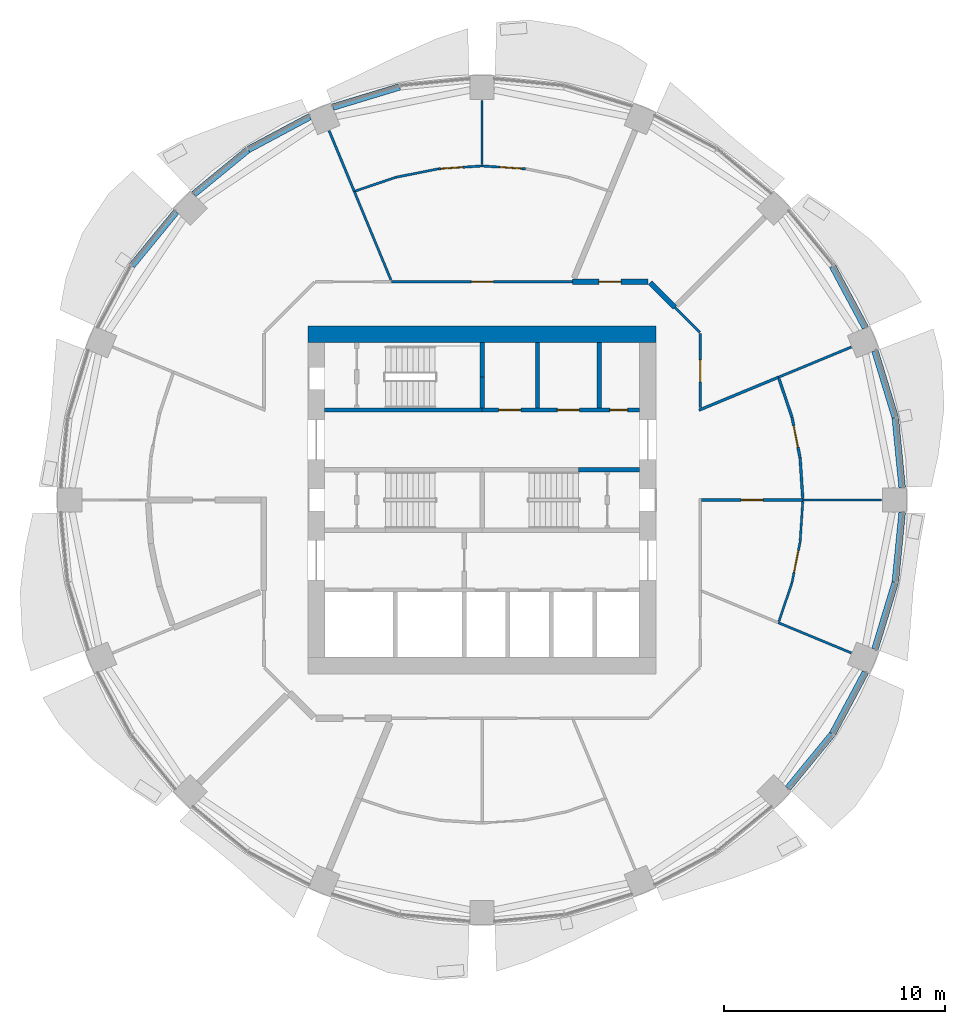
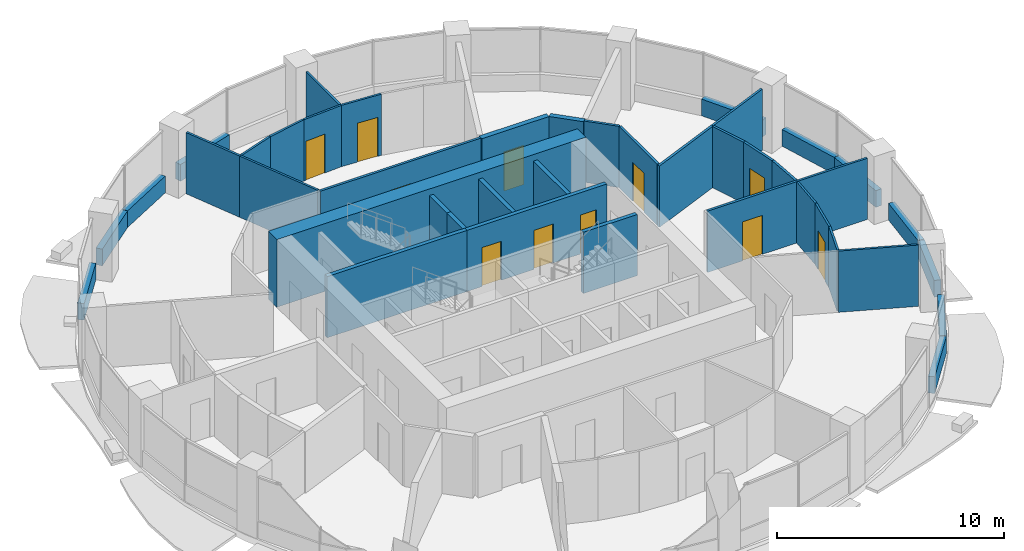
# One storey, part 9 of 14: 42 walls, 11 doors, 11 openings.
"""IFC4 building model written with IfcOpenShell, lengths in metres."""

from ifc_helpers import new_model, si_unit, direction, frame, frame_2d, origin, place, context, subcontext, project, spatial, rectangle, extrude, material, layer, layer_set, type_object, element, fill, save


model = new_model("IFC4")

# Units and contexts
model_context = context("Model", 3, precision=1e-05, world=origin(), true_north=direction((0.0, 1.0)))
body_context = subcontext(model_context, "Body", "Model", "MODEL_VIEW")
ifc_project = project(units=[si_unit("LENGTHUNIT", "METRE"), si_unit("AREAUNIT", "SQUARE_METRE"), si_unit("VOLUMEUNIT", "CUBIC_METRE"), si_unit("PLANEANGLEUNIT", "RADIAN"), si_unit("MASSUNIT", "GRAM", prefix="KILO")], contexts=[model_context])

# Site, building, storey
site_placement = place(None, origin())
site = spatial("IfcSite", under=ifc_project, at=site_placement, CompositionType="ELEMENT")
building_placement = place(site_placement, origin())
building = spatial("IfcBuilding", under=site, at=building_placement, Name="Polderwave Tower", CompositionType="ELEMENT")
storey_placement = place(building_placement, frame((0.0, 0.0, 94.64990234375)))
storey = spatial("IfcBuildingStorey", under=building, at=storey_placement, Name="L24", CompositionType="ELEMENT", Elevation=94.64990234375)

# Walls
ifc_material_1 = material(Name="Concrete C70/85", Category="concrete")
ifc_layer_1 = layer(ifc_material_1, 0.75)
ifc_layer_set_1 = layer_set([ifc_layer_1], Name="CORE WALL 750 C70/85")
wall_type_1 = type_object("IfcWallType", Name="CORE WALL 750 C70/85", PredefinedType="SHEAR", material=ifc_layer_set_1)
wall_1_placement = place(storey_placement, frame((-7.8740234375, 7.4990234375, 0.0), z_axis=(0.0, 0.0, 1.0), x_axis=(1.0, 0.0, 0.0)))
element("IfcWall", 1, at=wall_1_placement, inside=storey, type_object=wall_type_1, Name="ST-CORE-L24-N", PredefinedType="SHEAR", context=body_context, shape_type="SweptSolid", body=[
    extrude(rectangle(XDim=15.748046875, YDim=0.75, at=frame_2d((7.8740234375, 0.0))), origin(), (0.0, 0.0, 1.0), 3.650146484375),
])
ifc_material_2 = material(Name="Concrete C50/60 (board-marked)", Category="concrete")
ifc_layer_2 = layer(ifc_material_2, 0.300048828125)
ifc_layer_set_2 = layer_set([ifc_layer_2], Name="Concrete spandrel upstand C50/60")
wall_type_2 = type_object("IfcWallType", Name="Concrete spandrel upstand C50/60", PredefinedType="SOLIDWALL", material=ifc_layer_set_2)
wall_2_placement = place(storey_placement, frame((19.014404296875, 0.56396484375, 0.0), z_axis=(0.0, 0.0, 1.0), x_axis=(-0.097849336863, 0.995201239587, 0.0)))
element("IfcWall", 2, at=wall_2_placement, inside=storey, type_object=wall_type_2, Name="Spandrel L24 1a", PredefinedType="SOLIDWALL", context=body_context, shape_type="SweptSolid", body=[
    extrude(rectangle(XDim=3.15625, YDim=0.300048828125, at=frame_2d((1.578125, 0.0))), origin(), (0.0, 0.0, 1.0), 0.900146484375),
])
wall_3_placement = place(storey_placement, frame((18.69970703125, 3.734375, 0.0), z_axis=(0.0, 0.0, 1.0), x_axis=(-0.290503096001, 0.956874051907, 0.0)))
element("IfcWall", 3, at=wall_3_placement, inside=storey, type_object=wall_type_2, Name="Spandrel L24 1b", PredefinedType="SOLIDWALL", context=body_context, shape_type="SweptSolid", body=[
    extrude(rectangle(XDim=3.157470703125, YDim=0.300048828125, at=frame_2d((1.57861328125, 0.0))), origin(), (0.0, 0.0, 1.0), 0.900146484375),
])
wall_4_placement = place(storey_placement, frame((17.350830078125, 7.797119140625, 0.0), z_axis=(0.0, 0.0, 1.0), x_axis=(-0.471238306932, 0.882005928597, 0.0)))
element("IfcWall", 4, at=wall_4_placement, inside=storey, type_object=wall_type_2, Name="Spandrel L24 2a", PredefinedType="SOLIDWALL", context=body_context, shape_type="SweptSolid", body=[
    extrude(rectangle(XDim=3.1572265625, YDim=0.300048828125, at=frame_2d((1.57861328125, 0.0))), origin(), (0.0, 0.0, 1.0), 0.900146484375),
])
wall_5_placement = place(storey_placement, frame((-3.734375, 18.69970703125, 0.0), z_axis=(0.0, 0.0, 1.0), x_axis=(-0.956874051907, -0.290503096001, 0.0)))
element("IfcWall", 5, at=wall_5_placement, inside=storey, type_object=wall_type_2, Name="Spandrel L24 5b", PredefinedType="SOLIDWALL", context=body_context, shape_type="SweptSolid", body=[
    extrude(rectangle(XDim=3.157470703125, YDim=0.300048828125, at=frame_2d((1.57861328125, 0.0))), origin(), (0.0, 0.0, 1.0), 0.900146484375),
])
for number, where, z_axis, x_axis, name in (
    (6, (-7.797119140625, 17.350830078125, 0.0), (0.0, 0.0, 1.0), (-0.882005928597, -0.471238306932, 0.0), "Spandrel L24 6a"),
    (7, (-10.606689453125, 15.846435546875, 0.0), (0.0, 0.0, 1.0), (-0.773022810229, -0.63437822698, 0.0), "Spandrel L24 6b"),
    (8, (-13.843505859375, 13.04736328125, 0.0), (0.0, 0.0, 1.0), (-0.63437822698, -0.773022810229, 0.0), "Spandrel L24 7a"),
    (9, (13.843505859375, -13.04736328125, 0.0), (0.0, 0.0, 1.0), (0.63437822698, 0.773022810229, 0.0), "Spandrel L24 15a"),
    (10, (15.863037109375, -10.581787109375, 0.0), (0.0, 0.0, 1.0), (0.471238306932, 0.882005928597, 0.0), "Spandrel L24 15b"),
):
    element("IfcWall", number, at=place(storey_placement, frame(where, z_axis=z_axis, x_axis=x_axis)), inside=storey, type_object=wall_type_2, Name=name, PredefinedType="SOLIDWALL", context=body_context, shape_type="SweptSolid", body=[
        extrude(rectangle(XDim=3.1572265625, YDim=0.300048828125, at=frame_2d((1.57861328125, 0.0))), origin(), (0.0, 0.0, 1.0), 0.900146484375),
    ])
wall_6_placement = place(storey_placement, frame((17.782470703125, -6.755615234375, 0.0), z_axis=(0.0, 0.0, 1.0), x_axis=(0.290503096001, 0.956874051907, 0.0)))
element("IfcWall", 11, at=wall_6_placement, inside=storey, type_object=wall_type_2, Name="Spandrel L24 16a", PredefinedType="SOLIDWALL", context=body_context, shape_type="SweptSolid", body=[
    extrude(rectangle(XDim=3.157470703125, YDim=0.300048828125, at=frame_2d((1.57861328125, 0.0))), origin(), (0.0, 0.0, 1.0), 0.900146484375),
])
wall_7_placement = place(storey_placement, frame((18.70556640625, -3.705078125, 0.0), z_axis=(0.0, 0.0, 1.0), x_axis=(0.097849336863, 0.995201239587, 0.0)))
element("IfcWall", 12, at=wall_7_placement, inside=storey, type_object=wall_type_2, Name="Spandrel L24 16b", PredefinedType="SOLIDWALL", context=body_context, shape_type="SweptSolid", body=[
    extrude(rectangle(XDim=3.15625, YDim=0.300048828125, at=frame_2d((1.578125, 0.0))), origin(), (0.0, 0.0, 1.0), 0.900146484375),
])
ifc_material_3 = material(Name="Gypsum board partition")
ifc_layer_3 = layer(ifc_material_3, 0.199951171875)
ifc_layer_set_3 = layer_set([ifc_layer_3], Name="Core room partition 200")
wall_type_3 = type_object("IfcWallType", Name="Core room partition 200", PredefinedType="PARTITIONING", material=ifc_layer_set_3)
wall_8_placement = place(storey_placement, frame((2.508544921875, 4.174072265625, 0.0), z_axis=(0.0, 0.0, 1.0), x_axis=(0.0, 1.0, 0.0)))
element("IfcWall", 13, at=wall_8_placement, inside=storey, type_object=wall_type_3, Name="L24 room partition N1", PredefinedType="PARTITIONING", context=body_context, shape_type="SweptSolid", body=[
    extrude(rectangle(XDim=2.949951171875, YDim=0.199951171875, at=frame_2d((1.47509765625, 0.0))), origin(), (0.0, 0.0, 1.0), 3.300048828125),
])
ifc_material_4 = material(Name="Concrete C50/60", Category="concrete")
ifc_layer_4 = layer(ifc_material_4, 0.199951171875)
ifc_layer_set_4 = layer_set([ifc_layer_4], Name="Core web wall 200")
wall_type_4 = type_object("IfcWallType", Name="Core web wall 200", PredefinedType="SHEAR", material=ifc_layer_set_4)
wall_9_placement = place(storey_placement, frame((-7.1240234375, 4.073974609375, 0.0), z_axis=(0.0, 0.0, 1.0), x_axis=(1.0, 0.0, 0.0)))
element("IfcWall", 14, at=wall_9_placement, inside=storey, type_object=wall_type_4, Name="L24 north front wall 1", PredefinedType="SHEAR", context=body_context, shape_type="SweptSolid", body=[
    extrude(rectangle(XDim=7.1240234375, YDim=0.199951171875, at=frame_2d((3.56201171875, 0.0))), origin(), (0.0, 0.0, 1.0), 3.300048828125),
])

# Wall, openings, doors
wall_10_placement = place(storey_placement, frame((0.0, 4.073974609375, 0.0), z_axis=(0.0, 0.0, 1.0), x_axis=(1.0, 0.0, 0.0)))
wall_10 = element("IfcWall", 15, at=wall_10_placement, inside=storey, type_object=wall_type_4, Name="L24 north front wall 2", PredefinedType="SHEAR", context=body_context, shape_type="SweptSolid", body=[
    extrude(rectangle(XDim=7.1240234375, YDim=0.199951171875, at=frame_2d((3.56201171875, 0.0))), origin(), (0.0, 0.0, 1.0), 3.300048828125),
])
opening_1_placement = place(wall_10_placement, frame((0.754150390625, 0.0, 0.0)))
opening_1 = element("IfcOpeningElement", 16, at=opening_1_placement, cuts=wall_10, Name="Opening L24-D14", PredefinedType="OPENING", context=body_context, shape_type="SweptSolid", body=[
    extrude(rectangle(XDim=1.0, YDim=2.10009765625, at=frame_2d((0.5, 1.050048828125))), frame((0.0, 0.10986328125, 0.0), z_axis=(0.0, -1.0, 0.0), x_axis=(1.0, 0.0, 0.0)), (0.0, 0.0, 1.0), 0.219970703125),
])
opening_2_placement = place(wall_10_placement, frame((3.406982421875, 0.0, 0.0)))
opening_2 = element("IfcOpeningElement", 17, at=opening_2_placement, cuts=wall_10, Name="Opening L24-D15", PredefinedType="OPENING", context=body_context, shape_type="SweptSolid", body=[
    extrude(rectangle(XDim=1.0, YDim=2.10009765625, at=frame_2d((0.5, 1.050048828125))), frame((0.0, 0.10986328125, 0.0), z_axis=(0.0, -1.0, 0.0), x_axis=(1.0, 0.0, 0.0)), (0.0, 0.0, 1.0), 0.219970703125),
])
opening_3_placement = place(wall_10_placement, frame((5.789794921875, 0.0, 0.0)))
opening_3 = element("IfcOpeningElement", 18, at=opening_3_placement, cuts=wall_10, Name="Opening L24-D16", PredefinedType="OPENING", context=body_context, shape_type="SweptSolid", body=[
    extrude(rectangle(XDim=0.800048828125, YDim=2.10009765625, at=frame_2d((0.39990234375, 1.050048828125))), frame((0.0, 0.10986328125, 0.0), z_axis=(0.0, -1.0, 0.0), x_axis=(1.0, 0.0, 0.0)), (0.0, 0.0, 1.0), 0.219970703125),
])
ifc_material_5 = material(Name="Timber door leaf", Category="wood")
door_type_1 = type_object("IfcDoorType", Name="Accessible WC door 1000", OperationType="NOTDEFINED", PredefinedType="DOOR", material=ifc_material_5)
door_1_placement = place(opening_1_placement, origin())
door_1 = element("IfcDoor", 19, at=door_1_placement, inside=storey, type_object=door_type_1, Name="Accessible WC door", OperationType="SINGLE_SWING_LEFT", OverallHeight=2.10009765625, OverallWidth=1.0, PredefinedType="DOOR", context=body_context, shape_type="SweptSolid", body=[
    extrude(rectangle(XDim=1.0, YDim=2.10009765625, at=frame_2d((0.5, 1.050048828125))), frame((0.0, 0.02490234375, 0.0), z_axis=(0.0, -1.0, 0.0), x_axis=(1.0, 0.0, 0.0)), (0.0, 0.0, 1.0), 0.050048828125),
])
fill(opening_1, door_1)
ifc_material_6 = material(Name="Steel fire door", Category="steel")
door_type_2 = type_object("IfcDoorType", Name="Riser door 800", OperationType="NOTDEFINED", PredefinedType="DOOR", material=ifc_material_6)
door_2_placement = place(opening_3_placement, frame((0.800048828125, 0.0, 0.0), z_axis=(0.0, 0.0, 1.0), x_axis=(-1.0, 0.0, 0.0)))
door_2 = element("IfcDoor", 20, at=door_2_placement, inside=storey, type_object=door_type_2, Name="Riser door", OperationType="SINGLE_SWING_LEFT", OverallHeight=2.10009765625, OverallWidth=0.800048828125, PredefinedType="DOOR", context=body_context, shape_type="SweptSolid", body=[
    extrude(rectangle(XDim=0.800048828125, YDim=2.10009765625, at=frame_2d((0.39990234375, 1.050048828125))), frame((0.0, 0.02490234375, 0.0), z_axis=(0.0, -1.0, 0.0), x_axis=(1.0, 0.0, 0.0)), (0.0, 0.0, 1.0), 0.050048828125),
])
fill(opening_3, door_2)
door_type_3 = type_object("IfcDoorType", Name="Room door 1000", OperationType="NOTDEFINED", PredefinedType="DOOR", material=ifc_material_5)
door_3_placement = place(opening_2_placement, origin())
door_3 = element("IfcDoor", 21, at=door_3_placement, inside=storey, type_object=door_type_3, Name="Nutrient dosing room door", OperationType="SINGLE_SWING_RIGHT", OverallHeight=2.10009765625, OverallWidth=1.0, PredefinedType="DOOR", context=body_context, shape_type="SweptSolid", body=[
    extrude(rectangle(XDim=1.0, YDim=2.10009765625, at=frame_2d((0.5, 1.050048828125))), frame((0.0, 0.02490234375, 0.0), z_axis=(0.0, -1.0, 0.0), x_axis=(1.0, 0.0, 0.0)), (0.0, 0.0, 1.0), 0.050048828125),
])
fill(opening_2, door_3)

# Walls
wall_11_placement = place(storey_placement, frame((4.3740234375, 1.375, 0.0), z_axis=(0.0, 0.0, 1.0), x_axis=(1.0, 0.0, 0.0)))
element("IfcWall", 22, at=wall_11_placement, inside=storey, type_object=wall_type_4, Name="L24 north stair wall 4", PredefinedType="SHEAR", context=body_context, shape_type="SweptSolid", body=[
    extrude(rectangle(XDim=2.75, YDim=0.199951171875, at=frame_2d((1.375, 0.0))), origin(), (0.0, 0.0, 1.0), 3.300048828125),
])
wall_12_placement = place(storey_placement, frame((0.0, 4.174072265625, 0.0), z_axis=(0.0, 0.0, 1.0), x_axis=(0.0, 1.0, 0.0)))
element("IfcWall", 23, at=wall_12_placement, inside=storey, type_object=wall_type_4, Name="L24 stair C wall south", PredefinedType="SHEAR", context=body_context, shape_type="SweptSolid", body=[
    extrude(rectangle(XDim=1.39990234375, YDim=0.199951171875, at=frame_2d((0.699951171875, 0.0))), origin(), (0.0, 0.0, 1.0), 3.300048828125),
])
wall_13_placement = place(storey_placement, frame((0.0, 5.573974609375, 0.0), z_axis=(0.0, 0.0, 1.0), x_axis=(0.0, 1.0, 0.0)))
element("IfcWall", 24, at=wall_13_placement, inside=storey, type_object=wall_type_4, Name="L24 stair C wall north", PredefinedType="SHEAR", context=body_context, shape_type="SweptSolid", body=[
    extrude(rectangle(XDim=1.550048828125, YDim=0.199951171875, at=frame_2d((0.77490234375, 0.0))), origin(), (0.0, 0.0, 1.0), 3.300048828125),
])
ifc_material_7 = material(Name="Fire-resisting board on steel studs", Category="steel")
ifc_layer_5 = layer(ifc_material_7, 0.125)
ifc_layer_set_5 = layer_set([ifc_layer_5], Name="Corridor wall 125 mm EI 60")
wall_type_5 = type_object("IfcWallType", Name="Corridor wall 125 mm EI 60", PredefinedType="PARTITIONING", material=ifc_layer_set_5)
wall_14_placement = place(storey_placement, frame((8.722412109375, 8.722412109375, 0.0), z_axis=(0.0, 0.0, 1.0), x_axis=(0.70718294931, -0.707030604857, 0.0)))
element("IfcWall", 25, at=wall_14_placement, inside=storey, type_object=wall_type_5, Name="IN-L24-W001", PredefinedType="PARTITIONING", context=body_context, shape_type="SweptSolid", body=[
    extrude(rectangle(XDim=1.6025390625, YDim=0.125, at=frame_2d((0.80126953125, 0.0))), origin(), (0.0, 0.0, 1.0), 3.300048828125),
])

# Wall, opening, door
wall_15_placement = place(storey_placement, frame((9.8740234375, 7.545166015625, 0.0), z_axis=(0.0, 0.0, 1.0), x_axis=(0.0, -1.0, 0.0)))
wall_15 = element("IfcWall", 26, at=wall_15_placement, inside=storey, type_object=wall_type_5, Name="IN-L24-W002", PredefinedType="PARTITIONING", context=body_context, shape_type="SweptSolid", body=[
    extrude(rectangle(XDim=3.36181640625, YDim=0.125, at=frame_2d((1.680908203125, 0.0))), origin(), (0.0, 0.0, 1.0), 3.300048828125),
])
opening_4_placement = place(wall_15_placement, frame((1.199951171875, 0.0, 0.0)))
opening_4 = element("IfcOpeningElement", 27, at=opening_4_placement, cuts=wall_15, Name="Opening L24-D50", PredefinedType="OPENING", context=body_context, shape_type="SweptSolid", body=[
    extrude(rectangle(XDim=1.0, YDim=2.10009765625, at=frame_2d((0.5, 1.050048828125))), frame((0.0, 0.072509765625, 0.0), z_axis=(0.0, -1.0, 0.0), x_axis=(1.0, 0.0, 0.0)), (0.0, 0.0, 1.0), 0.14501953125),
])
ifc_material_8 = material(Name="Timber fire door leaf", Category="wood")
door_type_4 = type_object("IfcDoorType", Name="Fire door FD30S 1000 x 2100", OperationType="NOTDEFINED", PredefinedType="DOOR", material=ifc_material_8)
door_4_placement = place(opening_4_placement, origin())
door_4 = element("IfcDoor", 28, at=door_4_placement, inside=storey, type_object=door_type_4, Name="Door L24-D50", OperationType="SINGLE_SWING_RIGHT", OverallHeight=2.10009765625, OverallWidth=1.0, PredefinedType="DOOR", context=body_context, shape_type="SweptSolid", body=[
    extrude(rectangle(XDim=1.0, YDim=2.10009765625, at=frame_2d((0.5, 1.050048828125))), frame((0.0, 0.02490234375, 0.0), z_axis=(0.0, -1.0, 0.0), x_axis=(1.0, 0.0, 0.0)), (0.0, 0.0, 1.0), 0.050048828125),
])
fill(opening_4, door_4)

wall_16_placement = place(storey_placement, frame((-4.08984375, 9.8740234375, 0.0), z_axis=(0.0, 0.0, 1.0), x_axis=(1.0, 0.0, 0.0)))
wall_16 = element("IfcWall", 29, at=wall_16_placement, inside=storey, type_object=wall_type_5, Name="IN-L24-W008", PredefinedType="PARTITIONING", context=body_context, shape_type="SweptSolid", body=[
    extrude(rectangle(XDim=8.1796875, YDim=0.125, at=frame_2d((4.08984375, 0.0))), origin(), (0.0, 0.0, 1.0), 3.300048828125),
])
opening_5_placement = place(wall_16_placement, frame((3.60009765625, 0.0, 0.0)))
opening_5 = element("IfcOpeningElement", 30, at=opening_5_placement, cuts=wall_16, Name="Opening L24-D53", PredefinedType="OPENING", context=body_context, shape_type="SweptSolid", body=[
    extrude(rectangle(XDim=1.0, YDim=2.10009765625, at=frame_2d((0.5, 1.050048828125))), frame((0.0, 0.072509765625, 0.0), z_axis=(0.0, -1.0, 0.0), x_axis=(1.0, 0.0, 0.0)), (0.0, 0.0, 1.0), 0.14501953125),
])
door_5_placement = place(opening_5_placement, origin())
door_5 = element("IfcDoor", 31, at=door_5_placement, inside=storey, type_object=door_type_4, Name="Door L24-D53", OperationType="SINGLE_SWING_RIGHT", OverallHeight=2.10009765625, OverallWidth=1.0, PredefinedType="DOOR", context=body_context, shape_type="SweptSolid", body=[
    extrude(rectangle(XDim=1.0, YDim=2.10009765625, at=frame_2d((0.5, 1.050048828125))), frame((0.0, 0.02490234375, 0.0), z_axis=(0.0, -1.0, 0.0), x_axis=(1.0, 0.0, 0.0)), (0.0, 0.0, 1.0), 0.050048828125),
])
fill(opening_5, door_5)

# Wall
wall_17_placement = place(storey_placement, frame((14.02392578125, 3.761962890625, 0.0), z_axis=(0.0, 0.0, 1.0), x_axis=(-0.321390424162, 0.946946775303, 0.0)))
element("IfcWall", 32, at=wall_17_placement, inside=storey, type_object=wall_type_5, Name="IN-L24-W022", PredefinedType="PARTITIONING", context=body_context, shape_type="SweptSolid", body=[
    extrude(rectangle(XDim=1.828369140625, YDim=0.125, at=frame_2d((0.9140625, 0.0))), origin(), (0.0, 0.0, 1.0), 3.300048828125),
])

# Wall, opening, door
wall_18_placement = place(storey_placement, frame((14.02587890625, 3.754150390625, 0.0), z_axis=(0.0, 0.0, 1.0), x_axis=(0.195172749159, -0.980768881024, 0.0)))
wall_18 = element("IfcWall", 33, at=wall_18_placement, inside=storey, type_object=wall_type_5, Name="IN-L24-W023", PredefinedType="PARTITIONING", context=body_context, shape_type="SweptSolid", body=[
    extrude(rectangle(XDim=1.891357421875, YDim=0.125, at=frame_2d((0.94580078125, 0.0))), origin(), (0.0, 0.0, 1.0), 3.300048828125),
])
opening_6_placement = place(wall_18_placement, frame((0.39990234375, 0.0, 0.0)))
opening_6 = element("IfcOpeningElement", 34, at=opening_6_placement, cuts=wall_18, Name="Opening L24-D59", PredefinedType="OPENING", context=body_context, shape_type="SweptSolid", body=[
    extrude(rectangle(XDim=1.0, YDim=2.10009765625, at=frame_2d((0.5, 1.050048828125))), frame((0.0, 0.072509765625, 0.0), z_axis=(0.0, -1.0, 0.0), x_axis=(1.0, 0.0, 0.0)), (0.0, 0.0, 1.0), 0.14501953125),
])
door_6_placement = place(opening_6_placement, origin())
door_6 = element("IfcDoor", 35, at=door_6_placement, inside=storey, type_object=door_type_4, Name="Door L24-D59", OperationType="SINGLE_SWING_LEFT", OverallHeight=2.10009765625, OverallWidth=1.0, PredefinedType="DOOR", context=body_context, shape_type="SweptSolid", body=[
    extrude(rectangle(XDim=1.0, YDim=2.10009765625, at=frame_2d((0.5, 1.050048828125))), frame((0.0, 0.02490234375, 0.0), z_axis=(0.0, -1.0, 0.0), x_axis=(1.0, 0.0, 0.0)), (0.0, 0.0, 1.0), 0.050048828125),
])
fill(opening_6, door_6)

# Walls
wall_19_placement = place(storey_placement, frame((14.515625, 0.066650390625, 0.0), z_axis=(0.0, 0.0, 1.0), x_axis=(-0.065428883326, 0.997857234892, 0.0)))
element("IfcWall", 36, at=wall_19_placement, inside=storey, type_object=wall_type_5, Name="IN-L24-W024", PredefinedType="PARTITIONING", context=body_context, shape_type="SweptSolid", body=[
    extrude(rectangle(XDim=1.828369140625, YDim=0.125, at=frame_2d((0.9140625, 0.0))), origin(), (0.0, 0.0, 1.0), 3.300048828125),
])
wall_20_placement = place(storey_placement, frame((9.81640625, 4.06591796875, 0.0), z_axis=(0.0, 0.0, 1.0), x_axis=(0.923881608957, 0.382678419342, 0.0)))
element("IfcWall", 37, at=wall_20_placement, inside=storey, type_object=wall_type_5, Name="IN-L24-W027", PredefinedType="PARTITIONING", context=body_context, shape_type="SweptSolid", body=[
    extrude(rectangle(XDim=3.894775390625, YDim=0.125, at=frame_2d((1.947265625, 0.0))), origin(), (0.0, 0.0, 1.0), 3.300048828125),
])

# Wall, opening, door
wall_21_placement = place(storey_placement, frame((14.52001953125, 0.0, 0.0), z_axis=(0.0, 0.0, 1.0), x_axis=(-1.0, 0.0, 0.0)))
wall_21 = element("IfcWall", 38, at=wall_21_placement, inside=storey, type_object=wall_type_5, Name="IN-L24-W028", PredefinedType="PARTITIONING", context=body_context, shape_type="SweptSolid", body=[
    extrude(rectangle(XDim=4.58349609375, YDim=0.125, at=frame_2d((2.291748046875, 0.0))), origin(), (0.0, 0.0, 1.0), 3.300048828125),
])
opening_7_placement = place(wall_21_placement, frame((1.800048828125, 0.0, 0.0)))
opening_7 = element("IfcOpeningElement", 39, at=opening_7_placement, cuts=wall_21, Name="Opening L24-D60", PredefinedType="OPENING", context=body_context, shape_type="SweptSolid", body=[
    extrude(rectangle(XDim=1.0, YDim=2.10009765625, at=frame_2d((0.5, 1.050048828125))), frame((0.0, 0.072509765625, 0.0), z_axis=(0.0, -1.0, 0.0), x_axis=(1.0, 0.0, 0.0)), (0.0, 0.0, 1.0), 0.14501953125),
])
door_7_placement = place(opening_7_placement, origin())
door_7 = element("IfcDoor", 40, at=door_7_placement, inside=storey, type_object=door_type_4, Name="Door L24-D60", OperationType="SINGLE_SWING_RIGHT", OverallHeight=2.10009765625, OverallWidth=1.0, PredefinedType="DOOR", context=body_context, shape_type="SweptSolid", body=[
    extrude(rectangle(XDim=1.0, YDim=2.10009765625, at=frame_2d((0.5, 1.050048828125))), frame((0.0, 0.02490234375, 0.0), z_axis=(0.0, -1.0, 0.0), x_axis=(1.0, 0.0, 0.0)), (0.0, 0.0, 1.0), 0.050048828125),
])
fill(opening_7, door_7)

# Walls
ifc_material_9 = material(Name="Plasterboard on steel studs", Category="steel")
ifc_layer_6 = layer(ifc_material_9, 0.10009765625)
ifc_layer_set_6 = layer_set([ifc_layer_6], Name="Partition 100 mm plasterboard on steel studs")
wall_type_6 = type_object("IfcWallType", Name="Partition 100 mm plasterboard on steel studs", PredefinedType="PARTITIONING", material=ifc_layer_set_6)
wall_22_placement = place(storey_placement, frame((0.0, 15.17578125, 0.0), z_axis=(0.0, 0.0, 1.0), x_axis=(0.0, 1.0, 0.0)))
element("IfcWall", 41, at=wall_22_placement, inside=storey, type_object=wall_type_6, Name="IN-L24-W035", PredefinedType="PARTITIONING", context=body_context, shape_type="SweptSolid", body=[
    extrude(rectangle(XDim=2.914306640625, YDim=0.10009765625, at=frame_2d((1.45703125, 0.0))), origin(), (0.0, 0.0, 1.0), 3.300048828125),
])
wall_23_placement = place(storey_placement, frame((14.024169921875, -3.76123046875, 0.0), z_axis=(0.0, 0.0, 1.0), x_axis=(-0.32147693474, -0.946917409508, 0.0)))
element("IfcWall", 42, at=wall_23_placement, inside=storey, type_object=wall_type_6, Name="IN-L24-W067", PredefinedType="PARTITIONING", context=body_context, shape_type="SweptSolid", body=[
    extrude(rectangle(XDim=1.840087890625, YDim=0.10009765625, at=frame_2d((0.919921875, 0.0))), origin(), (0.0, 0.0, 1.0), 3.300048828125),
])

# Wall, opening, door
wall_24_placement = place(storey_placement, frame((14.395263671875, -1.8984375, 0.0), z_axis=(0.0, 0.0, 1.0), x_axis=(-0.195148680089, -0.980773670456, 0.0)))
wall_24 = element("IfcWall", 43, at=wall_24_placement, inside=storey, type_object=wall_type_6, Name="IN-L24-W068", PredefinedType="PARTITIONING", context=body_context, shape_type="SweptSolid", body=[
    extrude(rectangle(XDim=1.892822265625, YDim=0.10009765625, at=frame_2d((0.9462890625, 0.0))), origin(), (0.0, 0.0, 1.0), 3.300048828125),
])
opening_8_placement = place(wall_24_placement, frame((0.39990234375, 0.0, 0.0)))
opening_8 = element("IfcOpeningElement", 44, at=opening_8_placement, cuts=wall_24, Name="Opening L24-D67", PredefinedType="OPENING", context=body_context, shape_type="SweptSolid", body=[
    extrude(rectangle(XDim=1.0, YDim=2.10009765625, at=frame_2d((0.5, 1.050048828125))), frame((0.0, 0.06005859375, 0.0), z_axis=(0.0, -1.0, 0.0), x_axis=(1.0, 0.0, 0.0)), (0.0, 0.0, 1.0), 0.1201171875),
])
ifc_material_10 = material(Name="Timber veneer door leaf", Category="wood")
door_type_5 = type_object("IfcDoorType", Name="Single door 1000 x 2100", OperationType="NOTDEFINED", PredefinedType="DOOR", material=ifc_material_10)
door_8_placement = place(opening_8_placement, origin())
door_8 = element("IfcDoor", 45, at=door_8_placement, inside=storey, type_object=door_type_5, Name="Door L24-D67", OperationType="SINGLE_SWING_LEFT", OverallHeight=2.10009765625, OverallWidth=1.0, PredefinedType="DOOR", context=body_context, shape_type="SweptSolid", body=[
    extrude(rectangle(XDim=1.0, YDim=2.10009765625, at=frame_2d((0.5, 1.050048828125))), frame((0.0, 0.02490234375, 0.0), z_axis=(0.0, -1.0, 0.0), x_axis=(1.0, 0.0, 0.0)), (0.0, 0.0, 1.0), 0.050048828125),
])
fill(opening_8, door_8)

# Wall
wall_25_placement = place(storey_placement, frame((14.515625, -0.06591796875, 0.0), z_axis=(0.0, 0.0, 1.0), x_axis=(-0.065376617685, -0.997860660543, 0.0)))
element("IfcWall", 46, at=wall_25_placement, inside=storey, type_object=wall_type_6, Name="IN-L24-W069", PredefinedType="PARTITIONING", context=body_context, shape_type="SweptSolid", body=[
    extrude(rectangle(XDim=1.829833984375, YDim=0.10009765625, at=frame_2d((0.9150390625, 0.0))), origin(), (0.0, 0.0, 1.0), 3.300048828125),
])

# Wall, opening, door
ifc_material_11 = material(Name="Moisture-resistant board on steel studs, tiled", Category="steel")
ifc_layer_7 = layer(ifc_material_11, 0.10498046875)
ifc_layer_set_7 = layer_set([ifc_layer_7], Name="Partition 105 mm wet room board and tile")
wall_type_7 = type_object("IfcWallType", Name="Partition 105 mm wet room board and tile", PredefinedType="PARTITIONING", material=ifc_layer_set_7)
wall_26_placement = place(storey_placement, frame((0.0, 15.1201171875, 0.0), z_axis=(0.0, 0.0, 1.0), x_axis=(0.997850326374, -0.06553416022, 0.0)))
wall_26 = element("IfcWall", 47, at=wall_26_placement, inside=storey, type_object=wall_type_7, Name="IN-L24-W032", PredefinedType="PARTITIONING", context=body_context, shape_type="SweptSolid", body=[
    extrude(rectangle(XDim=1.974365234375, YDim=0.10498046875, at=frame_2d((0.9873046875, 0.0))), origin(), (0.0, 0.0, 1.0), 3.300048828125),
])
opening_9_placement = place(wall_26_placement, frame((0.800048828125, 0.0, 0.0)))
opening_9 = element("IfcOpeningElement", 48, at=opening_9_placement, cuts=wall_26, Name="Opening L24-D61", PredefinedType="OPENING", context=body_context, shape_type="SweptSolid", body=[
    extrude(rectangle(XDim=1.0, YDim=2.10009765625, at=frame_2d((0.5, 1.050048828125))), frame((0.0, 0.0625, 0.0), z_axis=(0.0, -1.0, 0.0), x_axis=(1.0, 0.0, 0.0)), (0.0, 0.0, 1.0), 0.125),
])
door_9_placement = place(opening_9_placement, origin())
door_9 = element("IfcDoor", 49, at=door_9_placement, inside=storey, type_object=door_type_5, Name="Door L24-D61", OperationType="SINGLE_SWING_RIGHT", OverallHeight=2.10009765625, OverallWidth=1.0, PredefinedType="DOOR", context=body_context, shape_type="SweptSolid", body=[
    extrude(rectangle(XDim=1.0, YDim=2.10009765625, at=frame_2d((0.5, 1.050048828125))), frame((0.0, 0.02490234375, 0.0), z_axis=(0.0, -1.0, 0.0), x_axis=(1.0, 0.0, 0.0)), (0.0, 0.0, 1.0), 0.050048828125),
])
fill(opening_9, door_9)

# Walls
wall_27_placement = place(storey_placement, frame((-5.730712890625, 13.98779296875, 0.0), z_axis=(0.0, 0.0, 1.0), x_axis=(0.946910137099, 0.321498354986, 0.0)))
element("IfcWall", 50, at=wall_27_placement, inside=storey, type_object=wall_type_7, Name="IN-L24-W036", PredefinedType="PARTITIONING", context=body_context, shape_type="SweptSolid", body=[
    extrude(rectangle(XDim=1.916015625, YDim=0.10498046875, at=frame_2d((0.9580078125, 0.0))), origin(), (0.0, 0.0, 1.0), 3.300048828125),
])
wall_28_placement = place(storey_placement, frame((-3.909912109375, 14.60546875, 0.0), z_axis=(0.0, 0.0, 1.0), x_axis=(0.980780283586, 0.195115441032, 0.0)))
element("IfcWall", 51, at=wall_28_placement, inside=storey, type_object=wall_type_7, Name="IN-L24-W037", PredefinedType="PARTITIONING", context=body_context, shape_type="SweptSolid", body=[
    extrude(rectangle(XDim=1.970703125, YDim=0.10498046875, at=frame_2d((0.9853515625, 0.0))), origin(), (0.0, 0.0, 1.0), 3.300048828125),
])

# Wall, opening, door
wall_29_placement = place(storey_placement, frame((-1.97021484375, 14.99072265625, 0.0), z_axis=(0.0, 0.0, 1.0), x_axis=(0.997850326374, 0.06553416022, 0.0)))
wall_29 = element("IfcWall", 52, at=wall_29_placement, inside=storey, type_object=wall_type_7, Name="IN-L24-W038", PredefinedType="PARTITIONING", context=body_context, shape_type="SweptSolid", body=[
    extrude(rectangle(XDim=1.974365234375, YDim=0.10498046875, at=frame_2d((0.9873046875, 0.0))), origin(), (0.0, 0.0, 1.0), 3.300048828125),
])
opening_10_placement = place(wall_29_placement, frame((0.10009765625, 0.0, 0.0)))
opening_10 = element("IfcOpeningElement", 53, at=opening_10_placement, cuts=wall_29, Name="Opening L24-D62", PredefinedType="OPENING", context=body_context, shape_type="SweptSolid", body=[
    extrude(rectangle(XDim=1.0, YDim=2.10009765625, at=frame_2d((0.5, 1.050048828125))), frame((0.0, 0.0625, 0.0), z_axis=(0.0, -1.0, 0.0), x_axis=(1.0, 0.0, 0.0)), (0.0, 0.0, 1.0), 0.125),
])
door_10_placement = place(opening_10_placement, origin())
door_10 = element("IfcDoor", 54, at=door_10_placement, inside=storey, type_object=door_type_5, Name="Door L24-D62", OperationType="SINGLE_SWING_LEFT", OverallHeight=2.10009765625, OverallWidth=1.0, PredefinedType="DOOR", context=body_context, shape_type="SweptSolid", body=[
    extrude(rectangle(XDim=1.0, YDim=2.10009765625, at=frame_2d((0.5, 1.050048828125))), frame((0.0, 0.02490234375, 0.0), z_axis=(0.0, -1.0, 0.0), x_axis=(1.0, 0.0, 0.0)), (0.0, 0.0, 1.0), 0.050048828125),
])
fill(opening_10, door_10)

# Walls
wall_30_placement = place(storey_placement, frame((-4.1240234375, 9.95654296875, 0.0), z_axis=(0.0, 0.0, 1.0), x_axis=(-0.382702629741, 0.923871580464, 0.0)))
element("IfcWall", 55, at=wall_30_placement, inside=storey, type_object=wall_type_7, Name="IN-L24-W039", PredefinedType="PARTITIONING", context=body_context, shape_type="SweptSolid", body=[
    extrude(rectangle(XDim=4.343017578125, YDim=0.10498046875, at=frame_2d((2.17138671875, 0.0))), origin(), (0.0, 0.0, 1.0), 3.300048828125),
])
wall_31_placement = place(storey_placement, frame((13.414794921875, -5.556396484375, 0.0), z_axis=(0.0, 0.0, 1.0), x_axis=(0.923870126847, -0.382706138858, 0.0)))
element("IfcWall", 56, at=wall_31_placement, inside=storey, type_object=wall_type_7, Name="IN-L24-W066", PredefinedType="PARTITIONING", context=body_context, shape_type="SweptSolid", body=[
    extrude(rectangle(XDim=3.56982421875, YDim=0.10498046875, at=frame_2d((1.784912109375, 0.0))), origin(), (0.0, 0.0, 1.0), 3.300048828125),
])
ifc_material_12 = material(Name="Acoustic double plasterboard on steel studs", Category="steel")
ifc_layer_8 = layer(ifc_material_12, 0.110107421875)
ifc_layer_set_8 = layer_set([ifc_layer_8], Name="Partition 110 mm acoustic double board")
wall_type_8 = type_object("IfcWallType", Name="Partition 110 mm acoustic double board", PredefinedType="PARTITIONING", material=ifc_layer_set_8)
wall_32_placement = place(storey_placement, frame((13.414794921875, 5.556396484375, 0.0), z_axis=(0.0, 0.0, 1.0), x_axis=(0.923870126847, 0.382706138858, 0.0)))
element("IfcWall", 57, at=wall_32_placement, inside=storey, type_object=wall_type_8, Name="IN-L24-W025", PredefinedType="PARTITIONING", context=body_context, shape_type="SweptSolid", body=[
    extrude(rectangle(XDim=3.56982421875, YDim=0.110107421875, at=frame_2d((1.784912109375, 0.0))), origin(), (0.0, 0.0, 1.0), 3.300048828125),
])
wall_33_placement = place(storey_placement, frame((18.090087890625, 0.0, 0.0), z_axis=(0.0, 0.0, 1.0), x_axis=(-1.0, 0.0, 0.0)))
element("IfcWall", 58, at=wall_33_placement, inside=storey, type_object=wall_type_8, Name="IN-L24-W026", PredefinedType="PARTITIONING", context=body_context, shape_type="SweptSolid", body=[
    extrude(rectangle(XDim=3.570068359375, YDim=0.110107421875, at=frame_2d((1.78515625, 0.0))), origin(), (0.0, 0.0, 1.0), 3.300048828125),
])
wall_34_placement = place(storey_placement, frame((-5.7861328125, 13.968994140625, 0.0), z_axis=(0.0, 0.0, 1.0), x_axis=(-0.382659139036, 0.923889594764, 0.0)))
element("IfcWall", 59, at=wall_34_placement, inside=storey, type_object=wall_type_8, Name="IN-L24-W040", PredefinedType="PARTITIONING", context=body_context, shape_type="SweptSolid", body=[
    extrude(rectangle(XDim=2.969970703125, YDim=0.110107421875, at=frame_2d((1.48486328125, 0.0))), origin(), (0.0, 0.0, 1.0), 3.300048828125),
])

# Wall, opening, door
ifc_material_13 = material(Name="Fire-resisting board on steel studs, mineral wool", Category="steel")
ifc_layer_9 = layer(ifc_material_13, 0.25)
ifc_layer_set_9 = layer_set([ifc_layer_9], Name="Plant room wall 250 mm EI 120")
wall_type_9 = type_object("IfcWallType", Name="Plant room wall 250 mm EI 120", PredefinedType="PARTITIONING", material=ifc_layer_set_9)
wall_35_placement = place(storey_placement, frame((4.08984375, 9.8740234375, 0.0), z_axis=(0.0, 0.0, 1.0), x_axis=(1.0, 0.0, 0.0)))
wall_35 = element("IfcWall", 60, at=wall_35_placement, inside=storey, type_object=wall_type_9, Name="IN-L24-W006", PredefinedType="PARTITIONING", context=body_context, shape_type="SweptSolid", body=[
    extrude(rectangle(XDim=3.429443359375, YDim=0.25, at=frame_2d((1.71484375, 0.0))), origin(), (0.0, 0.0, 1.0), 3.300048828125),
])
opening_11_placement = place(wall_35_placement, frame((1.199951171875, 0.0, 0.0)))
opening_11 = element("IfcOpeningElement", 61, at=opening_11_placement, cuts=wall_35, Name="Opening L24-D52", PredefinedType="OPENING", context=body_context, shape_type="SweptSolid", body=[
    extrude(rectangle(XDim=1.0, YDim=2.10009765625, at=frame_2d((0.5, 1.050048828125))), frame((0.0, 0.135009765625, 0.0), z_axis=(0.0, -1.0, 0.0), x_axis=(1.0, 0.0, 0.0)), (0.0, 0.0, 1.0), 0.27001953125),
])
ifc_material_14 = material(Name="Steel plant door leaf", Category="steel")
door_type_6 = type_object("IfcDoorType", Name="Plant door FD60 1000 x 2100 steel", OperationType="NOTDEFINED", PredefinedType="DOOR", material=ifc_material_14)
door_11_placement = place(opening_11_placement, origin())
door_11 = element("IfcDoor", 62, at=door_11_placement, inside=storey, type_object=door_type_6, Name="Door L24-D52", OperationType="SINGLE_SWING_LEFT", OverallHeight=2.10009765625, OverallWidth=1.0, PredefinedType="DOOR", context=body_context, shape_type="SweptSolid", body=[
    extrude(rectangle(XDim=1.0, YDim=2.10009765625, at=frame_2d((0.5, 1.050048828125))), frame((0.0, 0.02490234375, 0.0), z_axis=(0.0, -1.0, 0.0), x_axis=(1.0, 0.0, 0.0)), (0.0, 0.0, 1.0), 0.050048828125),
])
fill(opening_11, door_11)

# Walls
wall_36_placement = place(storey_placement, frame((7.607666015625, 9.83740234375, 0.0), z_axis=(0.0, 0.0, 1.0), x_axis=(0.707029353672, -0.707184200224, 0.0)))
element("IfcWall", 63, at=wall_36_placement, inside=storey, type_object=wall_type_9, Name="IN-L24-W007", PredefinedType="PARTITIONING", context=body_context, shape_type="SweptSolid", body=[
    extrude(rectangle(XDim=1.57666015625, YDim=0.25, at=frame_2d((0.788330078125, 0.0))), origin(), (0.0, 0.0, 1.0), 3.300048828125),
])
ifc_material_15 = material(Name="Gypsum shaft wall system")
ifc_layer_10 = layer(ifc_material_15, 0.199951171875)
ifc_layer_set_10 = layer_set([ifc_layer_10], Name="Shaft wall 200")
wall_type_10 = type_object("IfcWallType", Name="Shaft wall 200", PredefinedType="PARTITIONING", material=ifc_layer_set_10)
wall_37_placement = place(storey_placement, frame((5.305419921875, 4.174072265625, 0.0), z_axis=(0.0, 0.0, 1.0), x_axis=(0.0, 1.0, 0.0)))
element("IfcWall", 64, at=wall_37_placement, inside=storey, type_object=wall_type_10, Name="L24 riser wall", PredefinedType="PARTITIONING", context=body_context, shape_type="SweptSolid", body=[
    extrude(rectangle(XDim=2.949951171875, YDim=0.199951171875, at=frame_2d((1.47509765625, 0.0))), origin(), (0.0, 0.0, 1.0), 3.300048828125),
])

save(model, "model.ifc")
